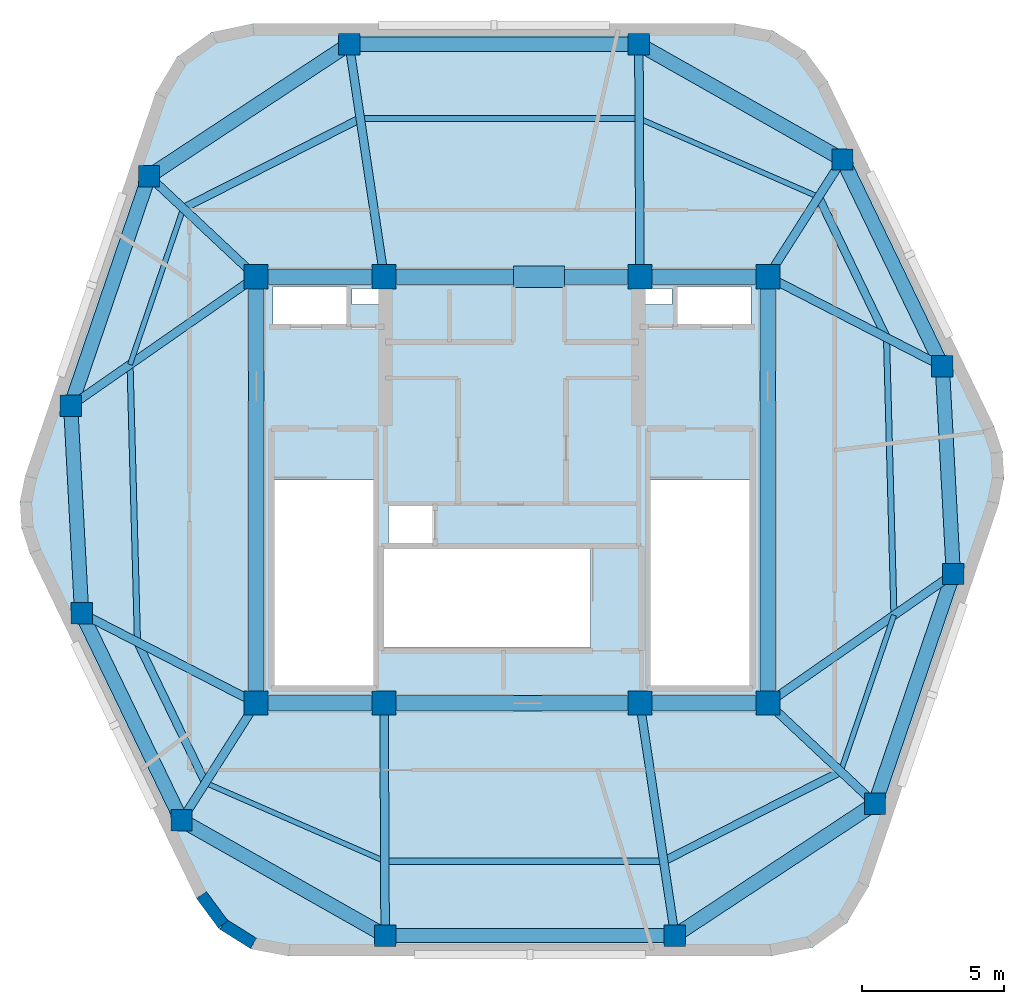
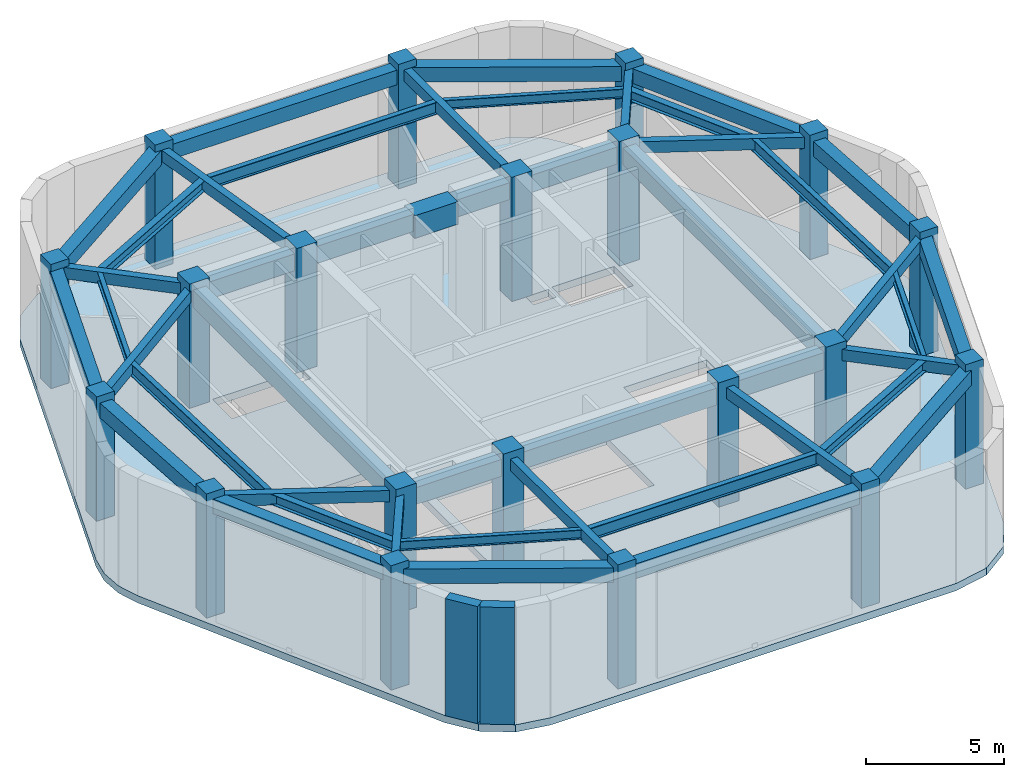
# One storey, part 1 of 4: 45 beams, 20 columns, 2 walls, 1 slab.
"""IFC4 building model written with IfcOpenShell, lengths in metres."""

from ifc_helpers import new_model, si_unit, direction, frame, frame_2d, origin, origin_2d, place, context, subcontext, project, spatial, polyline, rectangle, i_section, outline, extrude, material, layer, layer_set, material_profile, profile_set, type_object, element, save


model = new_model("IFC4")

# Units and contexts
model_context = context("Model", 3, precision=1e-05, world=origin(), true_north=direction((0.0, 1.0)))
body_context = subcontext(model_context, "Body", "Model", "MODEL_VIEW")
ifc_project = project(units=[si_unit("LENGTHUNIT", "METRE"), si_unit("AREAUNIT", "SQUARE_METRE"), si_unit("VOLUMEUNIT", "CUBIC_METRE"), si_unit("PLANEANGLEUNIT", "RADIAN"), si_unit("MASSUNIT", "GRAM", prefix="KILO")], contexts=[model_context])

# Site, building, storey
site_placement = place(None, origin())
site = spatial("IfcSite", under=ifc_project, at=site_placement, CompositionType="ELEMENT")
building_placement = place(site_placement, origin())
building = spatial("IfcBuilding", under=site, at=building_placement, Name="Kilnhurst Terrace Hotel", CompositionType="ELEMENT")
storey_placement = place(building_placement, frame((0.0, 0.0, 315.89990234375)))
storey = spatial("IfcBuildingStorey", under=building, at=storey_placement, Name="L78", CompositionType="ELEMENT", Elevation=315.89990234375)

# Columns
ifc_material_1 = material(Name="Concrete C60/75", Category="concrete")
ifc_material_profile_1 = material_profile(ifc_material_1, rectangle(XDim=0.75, YDim=0.75, at=origin_2d()), Name="RC750X750")
ifc_profile_set_1 = profile_set([ifc_material_profile_1], Name="Concrete C60/75")
column_type_1 = type_object("IfcColumnType", Name="COL-RC-750", PredefinedType="COLUMN", material=ifc_profile_set_1)
for number, where, z_axis, x_axis, name in (
    (1, (-4.462890625, -15.679931640625, 0.0), (0.0, 0.0, 1.0), (1.0, 0.0, 0.0), "L78 Structural Column PC-F11"),
    (2, (5.72998046875, -15.679931640625, 0.0), (0.0, 0.0, 1.0), (1.0, 0.0, 0.0), "L78 Structural Column PC-F12"),
    (3, (12.77099609375, -11.035888671875, 0.0), (0.0, 0.0, 1.0), (1.0, 0.0, 0.0), "L78 Structural Column PC-F21"),
    (4, (15.52490234375, -2.9560546875, 0.0), (0.0, 0.0, 1.0), (1.0, 0.0, 0.0), "L78 Structural Column PC-F22"),
    (5, (15.138916015625, 4.344970703125, 0.0), (0.0, 0.0, 1.0), (1.0, 0.0, 0.0), "L78 Structural Column PC-F31"),
    (6, (11.625, 11.625, 0.0), (0.0, 0.0, 1.0), (1.0, 0.0, 0.0), "L78 Structural Column PC-F32"),
    (7, (4.462890625, 15.679931640625, 0.0), (0.0, 0.0, 1.0), (1.0, 0.0, 0.0), "L78 Structural Column PC-F41"),
    (8, (-5.72998046875, 15.679931640625, 0.0), (0.0, 0.0, 1.0), (1.0, 0.0, 0.0), "L78 Structural Column PC-F42"),
    (9, (-12.77099609375, 11.035888671875, 0.0), (0.0, 0.0, 1.0), (1.0, 0.0, 0.0), "L78 Structural Column PC-F51"),
    (10, (-15.52490234375, 2.9560546875, 0.0), (0.0, 0.0, 1.0), (1.0, 0.0, 0.0), "L78 Structural Column PC-F52"),
    (11, (-15.138916015625, -4.344970703125, 0.0), (0.0, 0.0, 1.0), (1.0, 0.0, 0.0), "L78 Structural Column PC-F61"),
    (12, (-11.625, -11.625, 0.0), (0.0, 0.0, 1.0), (1.0, 0.0, 0.0), "L78 Structural Column PC-F62"),
):
    element("IfcColumn", number, at=place(storey_placement, frame(where, z_axis=z_axis, x_axis=x_axis)), inside=storey, type_object=column_type_1, Name=name, PredefinedType="COLUMN", context=body_context, shape_type="SweptSolid", body=[
        extrude(rectangle(XDim=0.75, YDim=0.75, at=origin_2d()), origin(), (0.0, 0.0, 1.0), 5.5),
    ])
ifc_material_profile_2 = material_profile(ifc_material_1, rectangle(XDim=0.85009765625, YDim=0.85009765625, at=origin_2d()), Name="RC850X850")
ifc_profile_set_2 = profile_set([ifc_material_profile_2], Name="Concrete C60/75")
column_type_2 = type_object("IfcColumnType", Name="COL-RC-850", PredefinedType="COLUMN", material=ifc_profile_set_2)
for number, where, z_axis, x_axis, name in (
    (13, (-9.0, -7.5, 0.0), (0.0, 0.0, 1.0), (1.0, 0.0, 0.0), "L78 Structural Column CC-SW"),
    (14, (-4.5, -7.5, 0.0), (0.0, 0.0, 1.0), (1.0, 0.0, 0.0), "L78 Structural Column CC-SC1"),
    (15, (4.5, -7.5, 0.0), (0.0, 0.0, 1.0), (1.0, 0.0, 0.0), "L78 Structural Column CC-SC2"),
    (16, (9.0, -7.5, 0.0), (0.0, 0.0, 1.0), (1.0, 0.0, 0.0), "L78 Structural Column CC-SE"),
    (17, (9.0, 7.5, 0.0), (0.0, 0.0, 1.0), (1.0, 0.0, 0.0), "L78 Structural Column CC-NE"),
    (18, (4.5, 7.5, 0.0), (0.0, 0.0, 1.0), (1.0, 0.0, 0.0), "L78 Structural Column CC-NC2"),
    (19, (-4.5, 7.5, 0.0), (0.0, 0.0, 1.0), (1.0, 0.0, 0.0), "L78 Structural Column CC-NC1"),
    (20, (-9.0, 7.5, 0.0), (0.0, 0.0, 1.0), (1.0, 0.0, 0.0), "L78 Structural Column CC-NW"),
):
    element("IfcColumn", number, at=place(storey_placement, frame(where, z_axis=z_axis, x_axis=x_axis)), inside=storey, type_object=column_type_2, Name=name, PredefinedType="COLUMN", context=body_context, shape_type="SweptSolid", body=[
        extrude(rectangle(XDim=0.85009765625, YDim=0.85009765625, at=origin_2d()), origin(), (0.0, 0.0, 1.0), 5.5),
    ])

# Beams
ifc_material_2 = material(Name="Concrete C50/60", Category="concrete")
ifc_material_profile_3 = material_profile(ifc_material_2, rectangle(XDim=0.300048828125, YDim=0.5, at=origin_2d()), Name="RC300X500")
ifc_profile_set_3 = profile_set([ifc_material_profile_3], Name="Concrete C50/60")
beam_type_1 = type_object("IfcBeamType", Name="BM-RAD-300X500", PredefinedType="BEAM", material=ifc_profile_set_3)
beam_1_placement = place(storey_placement, frame((-4.5, -7.5, 4.93017578125), z_axis=(0.004536589639, -0.999989709624, 0.0), x_axis=(0.999989709624, 0.004536589639, 0.0)))
element("IfcBeam", 21, at=beam_1_placement, inside=storey, type_object=beam_type_1, Name="L78 Radial Floor Beam 1", PredefinedType="BEAM", context=body_context, shape_type="SweptSolid", body=[
    extrude(rectangle(XDim=0.300048828125, YDim=0.5, at=origin_2d()), origin(), (0.0, 0.0, 1.0), 8.179931640625),
])
beam_2_placement = place(storey_placement, frame((4.5, -7.5, 4.93017578125), z_axis=(0.148694040121, -0.988883250153, 0.0), x_axis=(0.988883250153, 0.148694040121, 0.0)))
element("IfcBeam", 22, at=beam_2_placement, inside=storey, type_object=beam_type_1, Name="L78 Radial Floor Beam 2", PredefinedType="BEAM", context=body_context, shape_type="SweptSolid", body=[
    extrude(rectangle(XDim=0.300048828125, YDim=0.5, at=origin_2d()), origin(), (0.0, 0.0, 1.0), 8.27197265625),
])
beam_3_placement = place(storey_placement, frame((9.0, -7.5, 4.93017578125), z_axis=(0.729481235233, -0.684000824154, 0.0), x_axis=(0.684000824154, 0.729481235233, 0.0)))
element("IfcBeam", 23, at=beam_3_placement, inside=storey, type_object=beam_type_1, Name="L78 Radial Floor Beam 3", PredefinedType="BEAM", context=body_context, shape_type="SweptSolid", body=[
    extrude(rectangle(XDim=0.300048828125, YDim=0.5, at=origin_2d()), origin(), (0.0, 0.0, 1.0), 5.16943359375),
])
beam_4_placement = place(storey_placement, frame((9.0, -7.5, 4.93017578125), z_axis=(0.820617215274, 0.571478246302, 0.0), x_axis=(-0.571478246302, 0.820617215274, 0.0)))
element("IfcBeam", 24, at=beam_4_placement, inside=storey, type_object=beam_type_1, Name="L78 Radial Floor Beam 4", PredefinedType="BEAM", context=body_context, shape_type="SweptSolid", body=[
    extrude(rectangle(XDim=0.300048828125, YDim=0.5, at=origin_2d()), origin(), (0.0, 0.0, 1.0), 7.951171875),
])
beam_5_placement = place(storey_placement, frame((9.0, 7.5, 4.93017578125), z_axis=(0.889413132904, -0.457104232115, 0.0), x_axis=(0.457104232115, 0.889413132904, 0.0)))
element("IfcBeam", 25, at=beam_5_placement, inside=storey, type_object=beam_type_1, Name="L78 Radial Floor Beam 5", PredefinedType="BEAM", context=body_context, shape_type="SweptSolid", body=[
    extrude(rectangle(XDim=0.300048828125, YDim=0.5, at=origin_2d()), origin(), (0.0, 0.0, 1.0), 6.902099609375),
])
beam_6_placement = place(storey_placement, frame((9.0, 7.5, 4.93017578125), z_axis=(0.536875492193, 0.843661487732, 0.0), x_axis=(-0.843661487732, 0.536875492193, 0.0)))
element("IfcBeam", 26, at=beam_6_placement, inside=storey, type_object=beam_type_1, Name="L78 Radial Floor Beam 6", PredefinedType="BEAM", context=body_context, shape_type="SweptSolid", body=[
    extrude(rectangle(XDim=0.300048828125, YDim=0.5, at=origin_2d()), origin(), (0.0, 0.0, 1.0), 4.889404296875),
])
beam_7_placement = place(storey_placement, frame((4.5, 7.5, 4.93017578125), z_axis=(-0.004536589639, 0.999989709624, 0.0), x_axis=(-0.999989709624, -0.004536589639, 0.0)))
element("IfcBeam", 27, at=beam_7_placement, inside=storey, type_object=beam_type_1, Name="L78 Radial Floor Beam 7", PredefinedType="BEAM", context=body_context, shape_type="SweptSolid", body=[
    extrude(rectangle(XDim=0.300048828125, YDim=0.5, at=origin_2d()), origin(), (0.0, 0.0, 1.0), 8.179931640625),
])
beam_8_placement = place(storey_placement, frame((-4.5, 7.5, 4.93017578125), z_axis=(-0.148694040121, 0.988883250153, 0.0), x_axis=(-0.988883250153, -0.148694040121, 0.0)))
element("IfcBeam", 28, at=beam_8_placement, inside=storey, type_object=beam_type_1, Name="L78 Radial Floor Beam 8", PredefinedType="BEAM", context=body_context, shape_type="SweptSolid", body=[
    extrude(rectangle(XDim=0.300048828125, YDim=0.5, at=origin_2d()), origin(), (0.0, 0.0, 1.0), 8.27197265625),
])
beam_9_placement = place(storey_placement, frame((-9.0, 7.5, 4.93017578125), z_axis=(-0.729481235233, 0.684000824154, 0.0), x_axis=(-0.684000824154, -0.729481235233, 0.0)))
element("IfcBeam", 29, at=beam_9_placement, inside=storey, type_object=beam_type_1, Name="L78 Radial Floor Beam 9", PredefinedType="BEAM", context=body_context, shape_type="SweptSolid", body=[
    extrude(rectangle(XDim=0.300048828125, YDim=0.5, at=origin_2d()), origin(), (0.0, 0.0, 1.0), 5.16943359375),
])
beam_10_placement = place(storey_placement, frame((-9.0, 7.5, 4.93017578125), z_axis=(-0.820617215274, -0.571478246302, 0.0), x_axis=(0.571478246302, -0.820617215274, 0.0)))
element("IfcBeam", 30, at=beam_10_placement, inside=storey, type_object=beam_type_1, Name="L78 Radial Floor Beam 10", PredefinedType="BEAM", context=body_context, shape_type="SweptSolid", body=[
    extrude(rectangle(XDim=0.300048828125, YDim=0.5, at=origin_2d()), origin(), (0.0, 0.0, 1.0), 7.951171875),
])
beam_11_placement = place(storey_placement, frame((-9.0, -7.5, 4.93017578125), z_axis=(-0.889413132904, 0.457104232115, 0.0), x_axis=(-0.457104232115, -0.889413132904, 0.0)))
element("IfcBeam", 31, at=beam_11_placement, inside=storey, type_object=beam_type_1, Name="L78 Radial Floor Beam 11", PredefinedType="BEAM", context=body_context, shape_type="SweptSolid", body=[
    extrude(rectangle(XDim=0.300048828125, YDim=0.5, at=origin_2d()), origin(), (0.0, 0.0, 1.0), 6.902099609375),
])
beam_12_placement = place(storey_placement, frame((-9.0, -7.5, 4.93017578125), z_axis=(-0.536875492193, -0.843661487732, 0.0), x_axis=(0.843661487732, -0.536875492193, 0.0)))
element("IfcBeam", 32, at=beam_12_placement, inside=storey, type_object=beam_type_1, Name="L78 Radial Floor Beam 12", PredefinedType="BEAM", context=body_context, shape_type="SweptSolid", body=[
    extrude(rectangle(XDim=0.300048828125, YDim=0.5, at=origin_2d()), origin(), (0.0, 0.0, 1.0), 4.889404296875),
])
ifc_material_profile_4 = material_profile(ifc_material_2, rectangle(XDim=0.5, YDim=0.64990234375, at=origin_2d()), Name="RC500X650")
ifc_profile_set_4 = profile_set([ifc_material_profile_4], Name="Concrete C50/60")
beam_type_2 = type_object("IfcBeamType", Name="BM-SPN-500X650", PredefinedType="SPANDREL", material=ifc_profile_set_4)
beam_13_placement = place(storey_placement, frame((-4.462890625, -15.679931640625, 4.85498046875), z_axis=(1.0, 0.0, 0.0), x_axis=(0.0, 1.0, 0.0)))
element("IfcBeam", 33, at=beam_13_placement, inside=storey, type_object=beam_type_2, Name="L78 Perimeter Spandrel Beam 1", PredefinedType="SPANDREL", context=body_context, shape_type="SweptSolid", body=[
    extrude(rectangle(XDim=0.5, YDim=0.64990234375, at=origin_2d()), origin(), (0.0, 0.0, 1.0), 10.19287109375),
])
beam_14_placement = place(storey_placement, frame((5.72998046875, -15.679931640625, 4.85498046875), z_axis=(0.834774377505, 0.550592170905, 0.0), x_axis=(-0.550592170905, 0.834774377505, 0.0)))
element("IfcBeam", 34, at=beam_14_placement, inside=storey, type_object=beam_type_2, Name="L78 Perimeter Spandrel Beam 2", PredefinedType="SPANDREL", context=body_context, shape_type="SweptSolid", body=[
    extrude(rectangle(XDim=0.5, YDim=0.64990234375, at=origin_2d()), origin(), (0.0, 0.0, 1.0), 8.4345703125),
])
beam_15_placement = place(storey_placement, frame((12.77099609375, -11.035888671875, 4.85498046875), z_axis=(0.322612782294, 0.946531031029, 0.0), x_axis=(-0.946531031029, 0.322612782294, 0.0)))
element("IfcBeam", 35, at=beam_15_placement, inside=storey, type_object=beam_type_2, Name="L78 Perimeter Spandrel Beam 3", PredefinedType="SPANDREL", context=body_context, shape_type="SweptSolid", body=[
    extrude(rectangle(XDim=0.5, YDim=0.64990234375, at=origin_2d()), origin(), (0.0, 0.0, 1.0), 8.536376953125),
])
beam_16_placement = place(storey_placement, frame((15.52490234375, -2.9560546875, 4.85498046875), z_axis=(-0.052793686745, 0.998605440922, 0.0), x_axis=(-0.998605440922, -0.052793686745, 0.0)))
element("IfcBeam", 36, at=beam_16_placement, inside=storey, type_object=beam_type_2, Name="L78 Perimeter Spandrel Beam 4", PredefinedType="SPANDREL", context=body_context, shape_type="SweptSolid", body=[
    extrude(rectangle(XDim=0.5, YDim=0.64990234375, at=origin_2d()), origin(), (0.0, 0.0, 1.0), 7.311279296875),
])
beam_17_placement = place(storey_placement, frame((15.138916015625, 4.344970703125, 4.85498046875), z_axis=(-0.434690787886, 0.90057976822, 0.0), x_axis=(-0.90057976822, -0.434690787886, 0.0)))
element("IfcBeam", 37, at=beam_17_placement, inside=storey, type_object=beam_type_2, Name="L78 Perimeter Spandrel Beam 5", PredefinedType="SPANDREL", context=body_context, shape_type="SweptSolid", body=[
    extrude(rectangle(XDim=0.5, YDim=0.64990234375, at=origin_2d()), origin(), (0.0, 0.0, 1.0), 8.083740234375),
])
beam_18_placement = place(storey_placement, frame((11.625, 11.625, 4.85498046875), z_axis=(-0.870209584547, 0.492681721766, 0.0), x_axis=(-0.492681721766, -0.870209584547, 0.0)))
element("IfcBeam", 38, at=beam_18_placement, inside=storey, type_object=beam_type_2, Name="L78 Perimeter Spandrel Beam 6", PredefinedType="SPANDREL", context=body_context, shape_type="SweptSolid", body=[
    extrude(rectangle(XDim=0.5, YDim=0.64990234375, at=origin_2d()), origin(), (0.0, 0.0, 1.0), 8.230224609375),
])
beam_19_placement = place(storey_placement, frame((4.462890625, 15.679931640625, 4.85498046875), z_axis=(-1.0, 0.0, 0.0), x_axis=(0.0, -1.0, 0.0)))
element("IfcBeam", 39, at=beam_19_placement, inside=storey, type_object=beam_type_2, Name="L78 Perimeter Spandrel Beam 7", PredefinedType="SPANDREL", context=body_context, shape_type="SweptSolid", body=[
    extrude(rectangle(XDim=0.5, YDim=0.64990234375, at=origin_2d()), origin(), (0.0, 0.0, 1.0), 10.19287109375),
])
beam_20_placement = place(storey_placement, frame((-5.72998046875, 15.679931640625, 4.85498046875), z_axis=(-0.834774377505, -0.550592170905, 0.0), x_axis=(0.550592170905, -0.834774377505, 0.0)))
element("IfcBeam", 40, at=beam_20_placement, inside=storey, type_object=beam_type_2, Name="L78 Perimeter Spandrel Beam 8", PredefinedType="SPANDREL", context=body_context, shape_type="SweptSolid", body=[
    extrude(rectangle(XDim=0.5, YDim=0.64990234375, at=origin_2d()), origin(), (0.0, 0.0, 1.0), 8.4345703125),
])
beam_21_placement = place(storey_placement, frame((-12.77099609375, 11.035888671875, 4.85498046875), z_axis=(-0.322612782294, -0.946531031029, 0.0), x_axis=(0.946531031029, -0.322612782294, 0.0)))
element("IfcBeam", 41, at=beam_21_placement, inside=storey, type_object=beam_type_2, Name="L78 Perimeter Spandrel Beam 9", PredefinedType="SPANDREL", context=body_context, shape_type="SweptSolid", body=[
    extrude(rectangle(XDim=0.5, YDim=0.64990234375, at=origin_2d()), origin(), (0.0, 0.0, 1.0), 8.536376953125),
])
beam_22_placement = place(storey_placement, frame((-15.52490234375, 2.9560546875, 4.85498046875), z_axis=(0.052793686745, -0.998605440922, 0.0), x_axis=(0.998605440922, 0.052793686745, 0.0)))
element("IfcBeam", 42, at=beam_22_placement, inside=storey, type_object=beam_type_2, Name="L78 Perimeter Spandrel Beam 10", PredefinedType="SPANDREL", context=body_context, shape_type="SweptSolid", body=[
    extrude(rectangle(XDim=0.5, YDim=0.64990234375, at=origin_2d()), origin(), (0.0, 0.0, 1.0), 7.311279296875),
])
beam_23_placement = place(storey_placement, frame((-15.138916015625, -4.344970703125, 4.85498046875), z_axis=(0.434690787886, -0.90057976822, 0.0), x_axis=(0.90057976822, 0.434690787886, 0.0)))
element("IfcBeam", 43, at=beam_23_placement, inside=storey, type_object=beam_type_2, Name="L78 Perimeter Spandrel Beam 11", PredefinedType="SPANDREL", context=body_context, shape_type="SweptSolid", body=[
    extrude(rectangle(XDim=0.5, YDim=0.64990234375, at=origin_2d()), origin(), (0.0, 0.0, 1.0), 8.083740234375),
])
beam_24_placement = place(storey_placement, frame((-11.625, -11.625, 4.85498046875), z_axis=(0.870209584547, -0.492681721766, 0.0), x_axis=(0.492681721766, 0.870209584547, 0.0)))
element("IfcBeam", 44, at=beam_24_placement, inside=storey, type_object=beam_type_2, Name="L78 Perimeter Spandrel Beam 12", PredefinedType="SPANDREL", context=body_context, shape_type="SweptSolid", body=[
    extrude(rectangle(XDim=0.5, YDim=0.64990234375, at=origin_2d()), origin(), (0.0, 0.0, 1.0), 8.230224609375),
])
ifc_material_profile_5 = material_profile(ifc_material_2, rectangle(XDim=0.550048828125, YDim=0.75, at=origin_2d()), Name="RC550X750")
ifc_profile_set_5 = profile_set([ifc_material_profile_5], Name="Concrete C50/60")
beam_type_3 = type_object("IfcBeamType", Name="BM-SPN-550X750", PredefinedType="SPANDREL", material=ifc_profile_set_5)
beam_25_placement = place(storey_placement, frame((-9.0, 7.5, 4.80517578125), z_axis=(1.0, 0.0, 0.0), x_axis=(0.0, 1.0, 0.0)))
element("IfcBeam", 45, at=beam_25_placement, inside=storey, type_object=beam_type_3, Name="L78 Core Tie Beam CC-NW to CC-NC1", PredefinedType="SPANDREL", context=body_context, shape_type="SweptSolid", body=[
    extrude(rectangle(XDim=0.550048828125, YDim=0.75, at=origin_2d()), origin(), (0.0, 0.0, 1.0), 4.5),
])
beam_26_placement = place(storey_placement, frame((-4.5, 7.5, 4.80517578125), z_axis=(1.0, 0.0, 0.0), x_axis=(0.0, 1.0, 0.0)))
element("IfcBeam", 46, at=beam_26_placement, inside=storey, type_object=beam_type_3, Name="L78 Core Tie Beam CC-NC1 to CC-NC2", PredefinedType="SPANDREL", context=body_context, shape_type="SweptSolid", body=[
    extrude(rectangle(XDim=0.550048828125, YDim=0.75, at=origin_2d()), origin(), (0.0, 0.0, 1.0), 9.0),
])
for number, where, z_axis, x_axis, name in (
    (47, (4.5, 7.5, 4.80517578125), (1.0, 0.0, 0.0), (0.0, 1.0, 0.0), "L78 Core Tie Beam CC-NC2 to CC-NE"),
    (48, (-9.0, -7.5, 4.80517578125), (1.0, 0.0, 0.0), (0.0, 1.0, 0.0), "L78 Core Tie Beam CC-SW to CC-SC1"),
):
    element("IfcBeam", number, at=place(storey_placement, frame(where, z_axis=z_axis, x_axis=x_axis)), inside=storey, type_object=beam_type_3, Name=name, PredefinedType="SPANDREL", context=body_context, shape_type="SweptSolid", body=[
        extrude(rectangle(XDim=0.550048828125, YDim=0.75, at=origin_2d()), origin(), (0.0, 0.0, 1.0), 4.5),
    ])
beam_27_placement = place(storey_placement, frame((-4.5, -7.5, 4.80517578125), z_axis=(1.0, 0.0, 0.0), x_axis=(0.0, 1.0, 0.0)))
element("IfcBeam", 49, at=beam_27_placement, inside=storey, type_object=beam_type_3, Name="L78 Core Tie Beam CC-SC1 to CC-SC2", PredefinedType="SPANDREL", context=body_context, shape_type="SweptSolid", body=[
    extrude(rectangle(XDim=0.550048828125, YDim=0.75, at=origin_2d()), origin(), (0.0, 0.0, 1.0), 9.0),
])
beam_28_placement = place(storey_placement, frame((4.5, -7.5, 4.80517578125), z_axis=(1.0, 0.0, 0.0), x_axis=(0.0, 1.0, 0.0)))
element("IfcBeam", 50, at=beam_28_placement, inside=storey, type_object=beam_type_3, Name="L78 Core Tie Beam CC-SC2 to CC-SE", PredefinedType="SPANDREL", context=body_context, shape_type="SweptSolid", body=[
    extrude(rectangle(XDim=0.550048828125, YDim=0.75, at=origin_2d()), origin(), (0.0, 0.0, 1.0), 4.5),
])
for number, where, z_axis, x_axis, name in (
    (51, (-9.0, -7.5, 4.80517578125), (0.0, 1.0, 0.0), (-1.0, 0.0, 0.0), "L78 Core Tie Beam CC-SW to CC-NW"),
    (52, (9.0, -7.5, 4.80517578125), (0.0, 1.0, 0.0), (-1.0, 0.0, 0.0), "L78 Core Tie Beam CC-SE to CC-NE"),
):
    element("IfcBeam", number, at=place(storey_placement, frame(where, z_axis=z_axis, x_axis=x_axis)), inside=storey, type_object=beam_type_3, Name=name, PredefinedType="SPANDREL", context=body_context, shape_type="SweptSolid", body=[
        extrude(rectangle(XDim=0.550048828125, YDim=0.75, at=origin_2d()), origin(), (0.0, 0.0, 1.0), 15.0),
    ])
ifc_material_3 = material(Name="Steel ASTM A992 Grade 50", Category="steel")
ifc_material_profile_6 = material_profile(ifc_material_3, i_section(OverallWidth=0.180908203125, OverallDepth=0.417236328125, WebThickness=0.010986328125, FlangeThickness=0.018310546875, at=origin_2d()), Name="W16X57")
ifc_profile_set_6 = profile_set([ifc_material_profile_6], Name="Steel ASTM A992 Grade 50")
beam_type_4 = type_object("IfcBeamType", Name="JST-STL-W16X57", PredefinedType="JOIST", material=ifc_profile_set_6)
beam_29_placement = place(storey_placement, frame((11.564208984375, -9.904541015625, 4.97119140625), z_axis=(0.322630253623, 0.946525075974, 0.0), x_axis=(-0.946525075974, 0.322630253623, 0.0)))
element("IfcBeam", 53, at=beam_29_placement, inside=storey, type_object=beam_type_4, Name="L78 Secondary Floor Steel Joist OUT.3", PredefinedType="JOIST", context=body_context, shape_type="SweptSolid", body=[
    extrude(i_section(OverallWidth=0.180908203125, OverallDepth=0.417236328125, WebThickness=0.010986328125, FlangeThickness=0.018310546875, at=origin_2d()), origin(), (0.0, 0.0, 1.0), 5.8046875),
])
beam_30_placement = place(storey_placement, frame((10.784912109375, 10.304931640625, 4.97119140625), z_axis=(-0.916321620913, 0.400443113372, 0.0), x_axis=(-0.400443113372, -0.916321620913, 0.0)))
element("IfcBeam", 54, at=beam_30_placement, inside=storey, type_object=beam_type_4, Name="L78 Secondary Floor Steel Joist OUT.6", PredefinedType="JOIST", context=body_context, shape_type="SweptSolid", body=[
    extrude(i_section(OverallWidth=0.180908203125, OverallDepth=0.417236328125, WebThickness=0.010986328125, FlangeThickness=0.018310546875, at=origin_2d()), origin(), (0.0, 0.0, 1.0), 6.88623046875),
])
beam_31_placement = place(storey_placement, frame((-11.564208984375, 9.904541015625, 4.97119140625), z_axis=(-0.322630253623, -0.946525075974, 0.0), x_axis=(0.946525075974, -0.322630253623, 0.0)))
element("IfcBeam", 55, at=beam_31_placement, inside=storey, type_object=beam_type_4, Name="L78 Secondary Floor Steel Joist OUT.9", PredefinedType="JOIST", context=body_context, shape_type="SweptSolid", body=[
    extrude(i_section(OverallWidth=0.180908203125, OverallDepth=0.417236328125, WebThickness=0.010986328125, FlangeThickness=0.018310546875, at=origin_2d()), origin(), (0.0, 0.0, 1.0), 5.8046875),
])
beam_32_placement = place(storey_placement, frame((-10.784912109375, -10.304931640625, 4.97119140625), z_axis=(0.916321620913, -0.400443113372, 0.0), x_axis=(0.400443113372, 0.916321620913, 0.0)))
element("IfcBeam", 56, at=beam_32_placement, inside=storey, type_object=beam_type_4, Name="L78 Secondary Floor Steel Joist OUT.12", PredefinedType="JOIST", context=body_context, shape_type="SweptSolid", body=[
    extrude(i_section(OverallWidth=0.180908203125, OverallDepth=0.417236328125, WebThickness=0.010986328125, FlangeThickness=0.018310546875, at=origin_2d()), origin(), (0.0, 0.0, 1.0), 6.88623046875),
])
ifc_material_profile_7 = material_profile(ifc_material_3, i_section(OverallWidth=0.279296875, OverallDepth=0.462890625, WebThickness=0.0107421875, FlangeThickness=0.017333984375, at=origin_2d()), Name="W18X76")
ifc_profile_set_7 = profile_set([ifc_material_profile_7], Name="Steel ASTM A992 Grade 50")
beam_type_5 = type_object("IfcBeamType", Name="JST-STL-W18X76", PredefinedType="JOIST", material=ifc_profile_set_7)
beam_33_placement = place(storey_placement, frame((5.33642578125, -13.0625, 4.947998046875), z_axis=(0.891888563741, 0.452255226469, 0.0), x_axis=(-0.452255226469, 0.891888563741, 0.0)))
element("IfcBeam", 57, at=beam_33_placement, inside=storey, type_object=beam_type_5, Name="L78 Secondary Floor Steel Joist OUT.2", PredefinedType="JOIST", context=body_context, shape_type="SweptSolid", body=[
    extrude(i_section(OverallWidth=0.279296875, OverallDepth=0.462890625, WebThickness=0.0107421875, FlangeThickness=0.017333984375, at=origin_2d()), origin(), (0.0, 0.0, 1.0), 6.982666015625),
])
beam_34_placement = place(storey_placement, frame((13.174560546875, 5.3544921875, 4.947998046875), z_axis=(-0.434716772802, 0.900567225389, 0.0), x_axis=(-0.900567225389, -0.434716772802, 0.0)))
element("IfcBeam", 58, at=beam_34_placement, inside=storey, type_object=beam_type_5, Name="L78 Secondary Floor Steel Joist OUT.5", PredefinedType="JOIST", context=body_context, shape_type="SweptSolid", body=[
    extrude(i_section(OverallWidth=0.279296875, OverallDepth=0.462890625, WebThickness=0.0107421875, FlangeThickness=0.017333984375, at=origin_2d()), origin(), (0.0, 0.0, 1.0), 5.4970703125),
])
beam_35_placement = place(storey_placement, frame((-5.33642578125, 13.0625, 4.947998046875), z_axis=(-0.891888563741, -0.452255226469, 0.0), x_axis=(0.452255226469, -0.891888563741, 0.0)))
element("IfcBeam", 59, at=beam_35_placement, inside=storey, type_object=beam_type_5, Name="L78 Secondary Floor Steel Joist OUT.8", PredefinedType="JOIST", context=body_context, shape_type="SweptSolid", body=[
    extrude(i_section(OverallWidth=0.279296875, OverallDepth=0.462890625, WebThickness=0.0107421875, FlangeThickness=0.017333984375, at=origin_2d()), origin(), (0.0, 0.0, 1.0), 6.982666015625),
])
beam_36_placement = place(storey_placement, frame((-13.174560546875, -5.3544921875, 4.947998046875), z_axis=(0.434716772802, -0.900567225389, 0.0), x_axis=(0.900567225389, 0.434716772802, 0.0)))
element("IfcBeam", 60, at=beam_36_placement, inside=storey, type_object=beam_type_5, Name="L78 Secondary Floor Steel Joist OUT.11", PredefinedType="JOIST", context=body_context, shape_type="SweptSolid", body=[
    extrude(i_section(OverallWidth=0.279296875, OverallDepth=0.462890625, WebThickness=0.0107421875, FlangeThickness=0.017333984375, at=origin_2d()), origin(), (0.0, 0.0, 1.0), 5.4970703125),
])
ifc_material_profile_8 = material_profile(ifc_material_3, i_section(OverallWidth=0.2138671875, OverallDepth=0.549072265625, WebThickness=0.0146484375, FlangeThickness=0.023681640625, at=origin_2d()), Name="W21X93")
ifc_profile_set_8 = profile_set([ifc_material_profile_8], Name="Steel ASTM A992 Grade 50")
beam_type_6 = type_object("IfcBeamType", Name="JST-STL-W21X93", PredefinedType="JOIST", material=ifc_profile_set_8)
beam_37_placement = place(storey_placement, frame((-4.474853515625, -13.0625, 4.905029296875), z_axis=(1.0, 0.0, 0.0), x_axis=(0.0, 1.0, 0.0)))
element("IfcBeam", 61, at=beam_37_placement, inside=storey, type_object=beam_type_6, Name="L78 Secondary Floor Steel Joist OUT.1", PredefinedType="JOIST", context=body_context, shape_type="SweptSolid", body=[
    extrude(i_section(OverallWidth=0.2138671875, OverallDepth=0.549072265625, WebThickness=0.0146484375, FlangeThickness=0.023681640625, at=origin_2d()), origin(), (0.0, 0.0, 1.0), 9.811279296875),
])
beam_38_placement = place(storey_placement, frame((13.43701171875, -4.41015625, 4.905029296875), z_axis=(-0.026867984669, 0.999638990536, 0.0), x_axis=(-0.999638990536, -0.026867984669, 0.0)))
element("IfcBeam", 62, at=beam_38_placement, inside=storey, type_object=beam_type_6, Name="L78 Secondary Floor Steel Joist OUT.4", PredefinedType="JOIST", context=body_context, shape_type="SweptSolid", body=[
    extrude(i_section(OverallWidth=0.2138671875, OverallDepth=0.549072265625, WebThickness=0.0146484375, FlangeThickness=0.023681640625, at=origin_2d()), origin(), (0.0, 0.0, 1.0), 9.76806640625),
])
beam_39_placement = place(storey_placement, frame((4.474853515625, 13.0625, 4.905029296875), z_axis=(-1.0, 0.0, 0.0), x_axis=(0.0, -1.0, 0.0)))
element("IfcBeam", 63, at=beam_39_placement, inside=storey, type_object=beam_type_6, Name="L78 Secondary Floor Steel Joist OUT.7", PredefinedType="JOIST", context=body_context, shape_type="SweptSolid", body=[
    extrude(i_section(OverallWidth=0.2138671875, OverallDepth=0.549072265625, WebThickness=0.0146484375, FlangeThickness=0.023681640625, at=origin_2d()), origin(), (0.0, 0.0, 1.0), 9.811279296875),
])
beam_40_placement = place(storey_placement, frame((-13.43701171875, 4.41015625, 4.905029296875), z_axis=(0.026867984669, -0.999638990536, 0.0), x_axis=(0.999638990536, 0.026867984669, 0.0)))
element("IfcBeam", 64, at=beam_40_placement, inside=storey, type_object=beam_type_6, Name="L78 Secondary Floor Steel Joist OUT.10", PredefinedType="JOIST", context=body_context, shape_type="SweptSolid", body=[
    extrude(i_section(OverallWidth=0.2138671875, OverallDepth=0.549072265625, WebThickness=0.0146484375, FlangeThickness=0.023681640625, at=origin_2d()), origin(), (0.0, 0.0, 1.0), 9.76806640625),
])
ifc_material_profile_9 = material_profile(ifc_material_1, rectangle(XDim=0.75, YDim=1.0, at=origin_2d()), Name="RC750X1000")
ifc_profile_set_9 = profile_set([ifc_material_profile_9], Name="Concrete C60/75")
beam_type_7 = type_object("IfcBeamType", Name="LNT-CB-750X1000", PredefinedType="LINTEL", material=ifc_profile_set_9)
beam_41_placement = place(storey_placement, frame((0.050048828125, 7.5, 4.68017578125), z_axis=(1.0, 0.0, 0.0), x_axis=(0.0, 1.0, 0.0)))
element("IfcBeam", 65, at=beam_41_placement, inside=storey, type_object=beam_type_7, Name="L78 North Core Coupling Link Beam", PredefinedType="LINTEL", context=body_context, shape_type="SweptSolid", body=[
    extrude(rectangle(XDim=0.75, YDim=1.0, at=origin_2d()), origin(), (0.0, 0.0, 1.0), 1.800048828125),
])

# Slab
ifc_layer_1 = layer(ifc_material_2, 0.320068359375, Name="Concrete C50/60")
ifc_layer_set_1 = layer_set([ifc_layer_1], Name="Concrete C50/60")
slab_type = type_object("IfcSlabType", Name="SLB-FLR-320", PredefinedType="FLOOR", material=ifc_layer_set_1)
slab_placement = place(storey_placement, frame((0.0, 0.0, -0.31982421875)))
element("IfcSlab", 66, at=slab_placement, inside=storey, type_object=slab_type, Name="L78 Structural Floor Slab", PredefinedType="FLOOR", context=body_context, shape_type="SweptSolid", body=[
    extrude(outline(polyline([(-11.102294921875, -14.36474609375), (-10.30712890625, -15.4404296875), (-9.17431640625, -16.151611328125), (-7.860107421875, -16.39990234375), (9.12744140625, -16.39990234375), (10.576171875, -16.095703125), (11.77978515625, -15.234130859375), (12.53515625, -13.961181640625), (17.1240234375, -0.494873046875), (17.307861328125, 0.41796875), (17.25146484375, 1.34716796875), (16.95849609375, 2.231201171875), (11.102294921875, 14.36474609375), (10.30712890625, 15.4404296875), (9.17431640625, 16.151611328125), (7.860107421875, 16.39990234375), (-9.12744140625, 16.39990234375), (-10.576171875, 16.095703125), (-11.77978515625, 15.234130859375), (-12.53515625, 13.961181640625), (-17.1240234375, 0.494873046875), (-17.307861328125, -0.41796875), (-17.25146484375, -1.34716796875), (-16.95849609375, -2.231201171875), (-11.102294921875, -14.36474609375)]), holes=[polyline([(2.7548828125, -2.080078125), (2.7548828125, -5.550048828125), (-4.5, -5.550048828125), (-4.5, -2.080078125), (2.7548828125, -2.080078125)]), polyline([(-8.35009765625, 0.35498046875), (-4.8798828125, 0.35498046875), (-4.8798828125, -6.89990234375), (-8.35009765625, -6.89990234375), (-8.35009765625, 0.35498046875)]), polyline([(4.8798828125, 0.35498046875), (8.35009765625, 0.35498046875), (8.35009765625, -6.89990234375), (4.8798828125, -6.89990234375), (4.8798828125, 0.35498046875)]), polyline([(-2.800048828125, -1.89990234375), (-4.35009765625, -1.89990234375), (-4.35009765625, -0.550048828125), (-2.800048828125, -0.550048828125), (-2.800048828125, -1.89990234375)]), polyline([(-5.800048828125, 5.75), (-8.39990234375, 5.75), (-8.39990234375, 7.14990234375), (-5.800048828125, 7.14990234375), (-5.800048828125, 5.75)]), polyline([(8.39990234375, 5.75), (5.800048828125, 5.75), (5.800048828125, 7.14990234375), (8.39990234375, 7.14990234375), (8.39990234375, 5.75)]), polyline([(-4.659912109375, 6.52001953125), (-5.6201171875, 6.52001953125), (-5.6201171875, 7.080078125), (-4.659912109375, 7.080078125), (-4.659912109375, 6.52001953125)]), polyline([(5.6201171875, 6.52001953125), (4.659912109375, 6.52001953125), (4.659912109375, 7.080078125), (5.6201171875, 7.080078125), (5.6201171875, 6.52001953125)])]), origin(), (0.0, 0.0, 1.0), 0.31982421875),
])

# Walls
ifc_material_4 = material(Name="Precast concrete C40/50", Category="concrete")
ifc_layer_2 = layer(ifc_material_4, 0.419921875, Name="Precast concrete C40/50")
ifc_layer_set_2 = layer_set([ifc_layer_2], Name="Precast concrete C40/50")
wall_type = type_object("IfcWallType", Name="WL-CRN-420", PredefinedType="SOLIDWALL", material=ifc_layer_set_2)
wall_1_placement = place(storey_placement, frame((-10.921630859375, -14.255859375, 0.0), z_axis=(0.0, 0.0, 1.0), x_axis=(0.594423284796, -0.804152322941, 0.0)))
element("IfcWall", 67, at=wall_1_placement, inside=storey, type_object=wall_type, Name="L78 Rounded Corner Brick Wall C1.1", PredefinedType="SOLIDWALL", context=body_context, shape_type="SweptSolid", body=[
    extrude(rectangle(XDim=1.278076171875, YDim=0.419921875, at=frame_2d((0.63916015625, 0.0))), origin(), (0.0, 0.0, 1.0), 5.18017578125),
])
wall_2_placement = place(storey_placement, frame((-10.161865234375, -15.28369140625, 0.0), z_axis=(0.0, 0.0, 1.0), x_axis=(0.846993641169, -0.53160302089, 0.0)))
element("IfcWall", 68, at=wall_2_placement, inside=storey, type_object=wall_type, Name="L78 Rounded Corner Brick Wall C1.2", PredefinedType="SOLIDWALL", context=body_context, shape_type="SweptSolid", body=[
    extrude(rectangle(XDim=1.2578125, YDim=0.419921875, at=frame_2d((0.62890625, 0.0))), origin(), (0.0, 0.0, 1.0), 5.18017578125),
])

save(model, "model.ifc")
